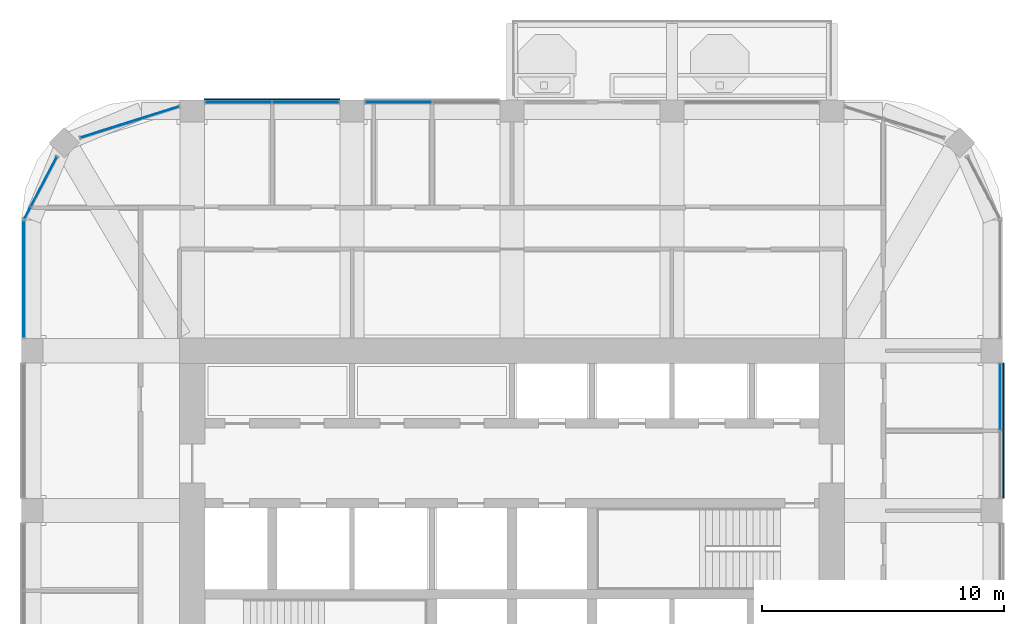
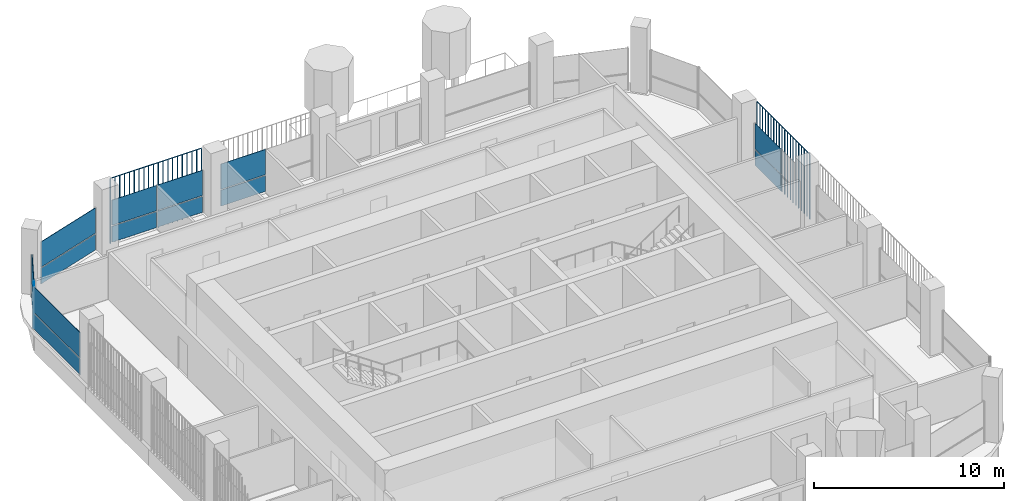
# One storey, part 12 of 21: 18 plates, 6 elements without a shape of their own.
"""IFC4 building model written with IfcOpenShell, lengths in metres."""

from ifc_helpers import new_model, si_unit, direction, frame, origin, origin_2d, place, context, subcontext, project, spatial, polyline, rectangle, outline, extrude, material, layer, layer_set, type_object, element, aggregate, save


model = new_model("IFC4")

# Units and contexts
model_context = context("Model", 3, precision=1e-05, world=origin(), true_north=direction((0.0, 1.0)))
body_context = subcontext(model_context, "Body", "Model", "MODEL_VIEW")
ifc_project = project(units=[si_unit("LENGTHUNIT", "METRE"), si_unit("AREAUNIT", "SQUARE_METRE"), si_unit("VOLUMEUNIT", "CUBIC_METRE"), si_unit("PLANEANGLEUNIT", "RADIAN"), si_unit("MASSUNIT", "GRAM", prefix="KILO")], contexts=[model_context])

# Site, building, storey
site_placement = place(None, origin())
site = spatial("IfcSite", under=ifc_project, at=site_placement, CompositionType="ELEMENT")
building_placement = place(site_placement, origin())
building = spatial("IfcBuilding", under=site, at=building_placement, Name="Cobogo Forest Laboratory Tower", CompositionType="ELEMENT")
storey_placement = place(building_placement, frame((0.0, 0.0, 275.39990234375)))
storey = spatial("IfcBuildingStorey", under=building, at=storey_placement, Name="L63", CompositionType="ELEMENT", Elevation=275.39990234375)

# Curtain wall, plates
ifc_material_1 = material(Name="Aluminium curtain wall", Category="aluminium")
curtain_wall_type = type_object("IfcCurtainWallType", Name="CW-2 unitised curtain wall, solar control glazing, laboratory floors zones C and D", PredefinedType="USERDEFINED", material=ifc_material_1)
curtain_wall_1_placement = place(storey_placement, origin())
curtain_wall_1 = element("IfcCurtainWall", 1, at=curtain_wall_1_placement, inside=storey, type_object=curtain_wall_type, Name="Curtain wall 10 L63", ObjectType="UNITISED CURTAIN WALL", PredefinedType="USERDEFINED")
ifc_material_2 = material(Name="Solar control insulated glass", Category="glass")
ifc_layer = layer(ifc_material_2, 0.031982421875)
ifc_layer_set = layer_set([ifc_layer], Name="GP-2 solar control glass unit 32")
plate_type_1 = type_object("IfcPlateType", Name="GP-2 solar control glass unit 32", PredefinedType="CURTAIN_PANEL", material=ifc_layer_set)
plate_1_placement = place(storey_placement, frame((46.550048828125, 31.0849609375, 0.0), z_axis=(0.0, 0.0, 1.0), x_axis=(0.0, 1.0, 0.0)))
plate_1 = element("IfcPlate", 2, at=plate_1_placement, type_object=plate_type_1, Name="CW-2 panel 2.1", PredefinedType="CURTAIN_PANEL", context=body_context, shape_type="SweptSolid", body=[
    extrude(rectangle(XDim=2.7099609375, YDim=0.031982421875, at=origin_2d()), origin(), (0.0, 0.0, 1.0), 1.02001953125),
])
plate_2_placement = place(storey_placement, frame((46.550048828125, 31.0849609375, 1.080078125), z_axis=(0.0, 0.0, 1.0), x_axis=(0.0, 1.0, 0.0)))
plate_2 = element("IfcPlate", 3, at=plate_2_placement, type_object=plate_type_1, Name="CW-2 panel 2.2", PredefinedType="CURTAIN_PANEL", context=body_context, shape_type="SweptSolid", body=[
    extrude(rectangle(XDim=2.7099609375, YDim=0.031982421875, at=origin_2d()), origin(), (0.0, 0.0, 1.0), 1.6201171875),
])
aggregate(curtain_wall_1, [plate_1, plate_2])

curtain_wall_2_placement = place(storey_placement, origin())
curtain_wall_2 = element("IfcCurtainWall", 4, at=curtain_wall_2_placement, inside=storey, type_object=curtain_wall_type, Name="Curtain wall 16 L63", ObjectType="UNITISED CURTAIN WALL", PredefinedType="USERDEFINED")
plate_3_placement = place(storey_placement, frame((21.715087890625, 43.25, 0.0), z_axis=(0.0, 0.0, 1.0), x_axis=(-1.0, 0.0, 0.0)))
plate_3 = element("IfcPlate", 5, at=plate_3_placement, type_object=plate_type_1, Name="CW-2 panel 2.1", PredefinedType="CURTAIN_PANEL", context=body_context, shape_type="SweptSolid", body=[
    extrude(rectangle(XDim=2.7099609375, YDim=0.031982421875, at=origin_2d()), origin(), (0.0, 0.0, 1.0), 1.02001953125),
])
plate_4_placement = place(storey_placement, frame((21.715087890625, 43.25, 1.080078125), z_axis=(0.0, 0.0, 1.0), x_axis=(-1.0, 0.0, 0.0)))
plate_4 = element("IfcPlate", 6, at=plate_4_placement, type_object=plate_type_1, Name="CW-2 panel 2.2", PredefinedType="CURTAIN_PANEL", context=body_context, shape_type="SweptSolid", body=[
    extrude(rectangle(XDim=2.7099609375, YDim=0.031982421875, at=origin_2d()), origin(), (0.0, 0.0, 1.0), 1.6201171875),
])
aggregate(curtain_wall_2, [plate_3, plate_4])

curtain_wall_3_placement = place(storey_placement, origin())
curtain_wall_3 = element("IfcCurtainWall", 7, at=curtain_wall_3_placement, inside=storey, type_object=curtain_wall_type, Name="Curtain wall 17 L63", ObjectType="UNITISED CURTAIN WALL", PredefinedType="USERDEFINED")
plate_5_placement = place(storey_placement, frame((17.885009765625, 43.25, 0.0), z_axis=(0.0, 0.0, 1.0), x_axis=(-1.0, 0.0, 0.0)))
plate_5 = element("IfcPlate", 8, at=plate_5_placement, type_object=plate_type_1, Name="CW-2 panel 1.1", PredefinedType="CURTAIN_PANEL", context=body_context, shape_type="SweptSolid", body=[
    extrude(rectangle(XDim=2.7099609375, YDim=0.031982421875, at=origin_2d()), origin(), (0.0, 0.0, 1.0), 1.02001953125),
])
plate_6_placement = place(storey_placement, frame((17.885009765625, 43.25, 1.080078125), z_axis=(0.0, 0.0, 1.0), x_axis=(-1.0, 0.0, 0.0)))
plate_6 = element("IfcPlate", 9, at=plate_6_placement, type_object=plate_type_1, Name="CW-2 panel 1.2", PredefinedType="CURTAIN_PANEL", context=body_context, shape_type="SweptSolid", body=[
    extrude(rectangle(XDim=2.7099609375, YDim=0.031982421875, at=origin_2d()), origin(), (0.0, 0.0, 1.0), 1.6201171875),
])
plate_7_placement = place(storey_placement, frame((15.114990234375, 43.25, 0.0), z_axis=(0.0, 0.0, 1.0), x_axis=(-1.0, 0.0, 0.0)))
plate_7 = element("IfcPlate", 10, at=plate_7_placement, type_object=plate_type_1, Name="CW-2 panel 2.1", PredefinedType="CURTAIN_PANEL", context=body_context, shape_type="SweptSolid", body=[
    extrude(rectangle(XDim=2.7099609375, YDim=0.031982421875, at=origin_2d()), origin(), (0.0, 0.0, 1.0), 1.02001953125),
])
plate_8_placement = place(storey_placement, frame((15.114990234375, 43.25, 1.080078125), z_axis=(0.0, 0.0, 1.0), x_axis=(-1.0, 0.0, 0.0)))
plate_8 = element("IfcPlate", 11, at=plate_8_placement, type_object=plate_type_1, Name="CW-2 panel 2.2", PredefinedType="CURTAIN_PANEL", context=body_context, shape_type="SweptSolid", body=[
    extrude(rectangle(XDim=2.7099609375, YDim=0.031982421875, at=origin_2d()), origin(), (0.0, 0.0, 1.0), 1.6201171875),
])
aggregate(curtain_wall_3, [plate_5, plate_6, plate_7, plate_8])

curtain_wall_4_placement = place(storey_placement, origin())
curtain_wall_4 = element("IfcCurtainWall", 12, at=curtain_wall_4_placement, inside=storey, type_object=curtain_wall_type, Name="Curtain wall 18 L63", ObjectType="UNITISED CURTAIN WALL", PredefinedType="USERDEFINED")
plate_9_placement = place(storey_placement, frame((10.62060546875, 42.435546875, 0.0), z_axis=(0.0, 0.0, 1.0), x_axis=(-0.953581379409, -0.301135439371, 0.0)))
plate_9 = element("IfcPlate", 13, at=plate_9_placement, type_object=plate_type_1, Name="CW-2 panel 1.1", PredefinedType="CURTAIN_PANEL", context=body_context, shape_type="SweptSolid", body=[
    extrude(rectangle(XDim=4.240966796875, YDim=0.031982421875, at=origin_2d()), origin(), (0.0, 0.0, 1.0), 1.02001953125),
])
plate_10_placement = place(storey_placement, frame((10.62060546875, 42.435546875, 1.080078125), z_axis=(0.0, 0.0, 1.0), x_axis=(-0.953581379409, -0.301135439371, 0.0)))
plate_10 = element("IfcPlate", 14, at=plate_10_placement, type_object=plate_type_1, Name="CW-2 panel 1.2", PredefinedType="CURTAIN_PANEL", context=body_context, shape_type="SweptSolid", body=[
    extrude(rectangle(XDim=4.240966796875, YDim=0.031982421875, at=origin_2d()), origin(), (0.0, 0.0, 1.0), 1.6201171875),
])
aggregate(curtain_wall_4, [plate_9, plate_10])

curtain_wall_5_placement = place(storey_placement, origin())
curtain_wall_5 = element("IfcCurtainWall", 15, at=curtain_wall_5_placement, inside=storey, type_object=curtain_wall_type, Name="Curtain wall 19 L63", ObjectType="UNITISED CURTAIN WALL", PredefinedType="USERDEFINED")
plate_11_placement = place(storey_placement, frame((7.076904296875, 39.977294921875, 0.0), z_axis=(0.0, 0.0, 1.0), x_axis=(-0.464283778337, -0.885686498245, 0.0)))
plate_11 = element("IfcPlate", 16, at=plate_11_placement, type_object=plate_type_1, Name="CW-2 panel 1.1", PredefinedType="CURTAIN_PANEL", context=body_context, shape_type="SweptSolid", body=[
    extrude(rectangle(XDim=2.28857421875, YDim=0.031982421875, at=origin_2d()), origin(), (0.0, 0.0, 1.0), 1.02001953125),
])
plate_12_placement = place(storey_placement, frame((7.076904296875, 39.977294921875, 1.080078125), z_axis=(0.0, 0.0, 1.0), x_axis=(-0.464283778337, -0.885686498245, 0.0)))
plate_12 = element("IfcPlate", 17, at=plate_12_placement, type_object=plate_type_1, Name="CW-2 panel 1.2", PredefinedType="CURTAIN_PANEL", context=body_context, shape_type="SweptSolid", body=[
    extrude(rectangle(XDim=2.28857421875, YDim=0.031982421875, at=origin_2d()), origin(), (0.0, 0.0, 1.0), 1.6201171875),
])
plate_13_placement = place(storey_placement, frame((6.397705078125, 38.681884765625, 0.0), z_axis=(0.0, 0.0, 1.0), x_axis=(-0.464283778337, -0.885686498245, 0.0)))
plate_13 = element("IfcPlate", 18, at=plate_13_placement, type_object=plate_type_1, Name="CW-2 panel 2.1", PredefinedType="CURTAIN_PANEL", context=body_context, shape_type="SweptSolid", body=[
    extrude(rectangle(XDim=0.516357421875, YDim=0.031982421875, at=origin_2d()), origin(), (0.0, 0.0, 1.0), 1.02001953125),
])
plate_14_placement = place(storey_placement, frame((6.397705078125, 38.681884765625, 1.080078125), z_axis=(0.0, 0.0, 1.0), x_axis=(-0.464283778337, -0.885686498245, 0.0)))
plate_14 = element("IfcPlate", 19, at=plate_14_placement, type_object=plate_type_1, Name="CW-2 panel 2.2", PredefinedType="CURTAIN_PANEL", context=body_context, shape_type="SweptSolid", body=[
    extrude(rectangle(XDim=0.516357421875, YDim=0.031982421875, at=origin_2d()), origin(), (0.0, 0.0, 1.0), 1.6201171875),
])
aggregate(curtain_wall_5, [plate_11, plate_12, plate_13, plate_14])

curtain_wall_6_placement = place(storey_placement, origin())
curtain_wall_6 = element("IfcCurtainWall", 20, at=curtain_wall_6_placement, inside=storey, type_object=curtain_wall_type, Name="Curtain wall 20 L63", ObjectType="UNITISED CURTAIN WALL", PredefinedType="USERDEFINED")
plate_15_placement = place(storey_placement, frame((6.25, 35.949951171875, 0.0), z_axis=(0.0, 0.0, 1.0), x_axis=(0.0, -1.0, 0.0)))
plate_15 = element("IfcPlate", 21, at=plate_15_placement, type_object=plate_type_1, Name="CW-2 panel 1.1", PredefinedType="CURTAIN_PANEL", context=body_context, shape_type="SweptSolid", body=[
    extrude(rectangle(XDim=4.780029296875, YDim=0.031982421875, at=origin_2d()), origin(), (0.0, 0.0, 1.0), 1.02001953125),
])
plate_16_placement = place(storey_placement, frame((6.25, 35.949951171875, 1.080078125), z_axis=(0.0, 0.0, 1.0), x_axis=(0.0, -1.0, 0.0)))
plate_16 = element("IfcPlate", 22, at=plate_16_placement, type_object=plate_type_1, Name="CW-2 panel 1.2", PredefinedType="CURTAIN_PANEL", context=body_context, shape_type="SweptSolid", body=[
    extrude(rectangle(XDim=4.780029296875, YDim=0.031982421875, at=origin_2d()), origin(), (0.0, 0.0, 1.0), 1.6201171875),
])
aggregate(curtain_wall_6, [plate_15, plate_16])

# Plates
ifc_material_3 = material(Name="Terracotta", Category="masonry")
plate_type_2 = type_object("IfcPlateType", Name="TB1 terracotta baguette screen", PredefinedType="USERDEFINED", material=ifc_material_3)
plate_17_placement = place(storey_placement, frame((46.677978515625, 26.93115234375, -0.14990234375)))
element("IfcPlate", 23, at=plate_17_placement, inside=storey, type_object=plate_type_2, Name="Baguette screen E3 L63", ObjectType="BAGUETTE SCREEN", PredefinedType="USERDEFINED", context=body_context, shape_type="SweptSolid", body=[
    extrude(outline(polyline([(0.02880859375, 0.011962890625), (0.011962890625, 0.02880859375), (-0.011962890625, 0.02880859375), (-0.02880859375, 0.011962890625), (-0.02880859375, -0.011962890625), (-0.011962890625, -0.02880859375), (0.011962890625, -0.02880859375), (0.02880859375, -0.011962890625), (0.02880859375, 0.011962890625)])), frame((0.0, 0.0, 4.168701171875), z_axis=(0.0, 1.0, 0.0), x_axis=(-1.0, 0.0, 0.0)), (0.0, 0.0, 1.0), 5.53759765625),
    extrude(outline(polyline([(0.02880859375, 0.011962890625), (0.011962890625, 0.02880859375), (-0.011962890625, 0.02880859375), (-0.02880859375, 0.011962890625), (-0.02880859375, -0.011962890625), (-0.011962890625, -0.02880859375), (0.011962890625, -0.02880859375), (0.02880859375, -0.011962890625), (0.02880859375, 0.011962890625)])), origin(), (0.0, 0.0, 1.0), 4.137451171875),
    extrude(outline(polyline([(0.02880859375, 0.011962890625), (0.011962890625, 0.02880859375), (-0.011962890625, 0.02880859375), (-0.02880859375, 0.011962890625), (-0.02880859375, -0.011962890625), (-0.011962890625, -0.02880859375), (0.011962890625, -0.02880859375), (0.02880859375, -0.011962890625), (0.02880859375, 0.011962890625)])), frame((0.0, 0.29150390625, 0.0)), (0.0, 0.0, 1.0), 4.137451171875),
    extrude(outline(polyline([(0.02880859375, 0.011962890625), (0.011962890625, 0.02880859375), (-0.011962890625, 0.02880859375), (-0.02880859375, 0.011962890625), (-0.02880859375, -0.011962890625), (-0.011962890625, -0.02880859375), (0.011962890625, -0.02880859375), (0.02880859375, -0.011962890625), (0.02880859375, 0.011962890625)])), frame((0.0, 0.5830078125, 0.0)), (0.0, 0.0, 1.0), 4.137451171875),
    extrude(outline(polyline([(0.02880859375, 0.011962890625), (0.011962890625, 0.02880859375), (-0.011962890625, 0.02880859375), (-0.02880859375, 0.011962890625), (-0.02880859375, -0.011962890625), (-0.011962890625, -0.02880859375), (0.011962890625, -0.02880859375), (0.02880859375, -0.011962890625), (0.02880859375, 0.011962890625)])), frame((0.0, 0.874267578125, 0.0)), (0.0, 0.0, 1.0), 4.137451171875),
    extrude(outline(polyline([(0.02880859375, 0.011962890625), (0.011962890625, 0.02880859375), (-0.011962890625, 0.02880859375), (-0.02880859375, 0.011962890625), (-0.02880859375, -0.011962890625), (-0.011962890625, -0.02880859375), (0.011962890625, -0.02880859375), (0.02880859375, -0.011962890625), (0.02880859375, 0.011962890625)])), frame((0.0, 1.165771484375, 0.0)), (0.0, 0.0, 1.0), 4.137451171875),
    extrude(outline(polyline([(0.02880859375, 0.011962890625), (0.011962890625, 0.02880859375), (-0.011962890625, 0.02880859375), (-0.02880859375, 0.011962890625), (-0.02880859375, -0.011962890625), (-0.011962890625, -0.02880859375), (0.011962890625, -0.02880859375), (0.02880859375, -0.011962890625), (0.02880859375, 0.011962890625)])), frame((0.0, 1.457275390625, 0.0)), (0.0, 0.0, 1.0), 4.137451171875),
    extrude(outline(polyline([(0.02880859375, 0.011962890625), (0.011962890625, 0.02880859375), (-0.011962890625, 0.02880859375), (-0.02880859375, 0.011962890625), (-0.02880859375, -0.011962890625), (-0.011962890625, -0.02880859375), (0.011962890625, -0.02880859375), (0.02880859375, -0.011962890625), (0.02880859375, 0.011962890625)])), frame((0.0, 1.748779296875, 0.0)), (0.0, 0.0, 1.0), 4.137451171875),
    extrude(outline(polyline([(0.02880859375, 0.011962890625), (0.011962890625, 0.02880859375), (-0.011962890625, 0.02880859375), (-0.02880859375, 0.011962890625), (-0.02880859375, -0.011962890625), (-0.011962890625, -0.02880859375), (0.011962890625, -0.02880859375), (0.02880859375, -0.011962890625), (0.02880859375, 0.011962890625)])), frame((0.0, 2.040283203125, 0.0)), (0.0, 0.0, 1.0), 4.137451171875),
    extrude(outline(polyline([(0.02880859375, 0.011962890625), (0.011962890625, 0.02880859375), (-0.011962890625, 0.02880859375), (-0.02880859375, 0.011962890625), (-0.02880859375, -0.011962890625), (-0.011962890625, -0.02880859375), (0.011962890625, -0.02880859375), (0.02880859375, -0.011962890625), (0.02880859375, 0.011962890625)])), frame((0.0, 2.33154296875, 0.0)), (0.0, 0.0, 1.0), 4.137451171875),
    extrude(outline(polyline([(0.02880859375, 0.011962890625), (0.011962890625, 0.02880859375), (-0.011962890625, 0.02880859375), (-0.02880859375, 0.011962890625), (-0.02880859375, -0.011962890625), (-0.011962890625, -0.02880859375), (0.011962890625, -0.02880859375), (0.02880859375, -0.011962890625), (0.02880859375, 0.011962890625)])), frame((0.0, 2.623046875, 0.0)), (0.0, 0.0, 1.0), 4.137451171875),
    extrude(outline(polyline([(0.02880859375, 0.011962890625), (0.011962890625, 0.02880859375), (-0.011962890625, 0.02880859375), (-0.02880859375, 0.011962890625), (-0.02880859375, -0.011962890625), (-0.011962890625, -0.02880859375), (0.011962890625, -0.02880859375), (0.02880859375, -0.011962890625), (0.02880859375, 0.011962890625)])), frame((0.0, 2.91455078125, 0.0)), (0.0, 0.0, 1.0), 4.137451171875),
    extrude(outline(polyline([(0.02880859375, 0.011962890625), (0.011962890625, 0.02880859375), (-0.011962890625, 0.02880859375), (-0.02880859375, 0.011962890625), (-0.02880859375, -0.011962890625), (-0.011962890625, -0.02880859375), (0.011962890625, -0.02880859375), (0.02880859375, -0.011962890625), (0.02880859375, 0.011962890625)])), frame((0.0, 3.2060546875, 0.0)), (0.0, 0.0, 1.0), 4.137451171875),
    extrude(outline(polyline([(0.02880859375, 0.011962890625), (0.011962890625, 0.02880859375), (-0.011962890625, 0.02880859375), (-0.02880859375, 0.011962890625), (-0.02880859375, -0.011962890625), (-0.011962890625, -0.02880859375), (0.011962890625, -0.02880859375), (0.02880859375, -0.011962890625), (0.02880859375, 0.011962890625)])), frame((0.0, 3.497314453125, 0.0)), (0.0, 0.0, 1.0), 4.137451171875),
    extrude(outline(polyline([(0.02880859375, 0.011962890625), (0.011962890625, 0.02880859375), (-0.011962890625, 0.02880859375), (-0.02880859375, 0.011962890625), (-0.02880859375, -0.011962890625), (-0.011962890625, -0.02880859375), (0.011962890625, -0.02880859375), (0.02880859375, -0.011962890625), (0.02880859375, 0.011962890625)])), frame((0.0, 3.788818359375, 0.0)), (0.0, 0.0, 1.0), 4.137451171875),
    extrude(outline(polyline([(0.02880859375, 0.011962890625), (0.011962890625, 0.02880859375), (-0.011962890625, 0.02880859375), (-0.02880859375, 0.011962890625), (-0.02880859375, -0.011962890625), (-0.011962890625, -0.02880859375), (0.011962890625, -0.02880859375), (0.02880859375, -0.011962890625), (0.02880859375, 0.011962890625)])), frame((0.0, 4.080322265625, 0.0)), (0.0, 0.0, 1.0), 4.137451171875),
    extrude(outline(polyline([(0.02880859375, 0.011962890625), (0.011962890625, 0.02880859375), (-0.011962890625, 0.02880859375), (-0.02880859375, 0.011962890625), (-0.02880859375, -0.011962890625), (-0.011962890625, -0.02880859375), (0.011962890625, -0.02880859375), (0.02880859375, -0.011962890625), (0.02880859375, 0.011962890625)])), frame((0.0, 4.371826171875, 0.0)), (0.0, 0.0, 1.0), 4.137451171875),
    extrude(outline(polyline([(0.02880859375, 0.011962890625), (0.011962890625, 0.02880859375), (-0.011962890625, 0.02880859375), (-0.02880859375, 0.011962890625), (-0.02880859375, -0.011962890625), (-0.011962890625, -0.02880859375), (0.011962890625, -0.02880859375), (0.02880859375, -0.011962890625), (0.02880859375, 0.011962890625)])), frame((0.0, 4.663330078125, 0.0)), (0.0, 0.0, 1.0), 4.137451171875),
    extrude(outline(polyline([(0.02880859375, 0.011962890625), (0.011962890625, 0.02880859375), (-0.011962890625, 0.02880859375), (-0.02880859375, 0.011962890625), (-0.02880859375, -0.011962890625), (-0.011962890625, -0.02880859375), (0.011962890625, -0.02880859375), (0.02880859375, -0.011962890625), (0.02880859375, 0.011962890625)])), frame((0.0, 4.95458984375, 0.0)), (0.0, 0.0, 1.0), 4.137451171875),
    extrude(outline(polyline([(0.02880859375, 0.011962890625), (0.011962890625, 0.02880859375), (-0.011962890625, 0.02880859375), (-0.02880859375, 0.011962890625), (-0.02880859375, -0.011962890625), (-0.011962890625, -0.02880859375), (0.011962890625, -0.02880859375), (0.02880859375, -0.011962890625), (0.02880859375, 0.011962890625)])), frame((0.0, 5.24609375, 0.0)), (0.0, 0.0, 1.0), 4.137451171875),
    extrude(outline(polyline([(0.02880859375, 0.011962890625), (0.011962890625, 0.02880859375), (-0.011962890625, 0.02880859375), (-0.02880859375, 0.011962890625), (-0.02880859375, -0.011962890625), (-0.011962890625, -0.02880859375), (0.011962890625, -0.02880859375), (0.02880859375, -0.011962890625), (0.02880859375, 0.011962890625)])), frame((0.0, 5.53759765625, 0.0)), (0.0, 0.0, 1.0), 4.137451171875),
])
plate_18_placement = place(storey_placement, frame((13.731201171875, 43.3779296875, -0.14990234375)))
element("IfcPlate", 24, at=plate_18_placement, inside=storey, type_object=plate_type_2, Name="Baguette screen N1 L63", ObjectType="BAGUETTE SCREEN", PredefinedType="USERDEFINED", context=body_context, shape_type="SweptSolid", body=[
    extrude(outline(polyline([(0.02880859375, 0.011962890625), (0.011962890625, 0.02880859375), (-0.011962890625, 0.02880859375), (-0.02880859375, 0.011962890625), (-0.02880859375, -0.011962890625), (-0.011962890625, -0.02880859375), (0.011962890625, -0.02880859375), (0.02880859375, -0.011962890625), (0.02880859375, 0.011962890625)])), frame((0.0, 0.0, 4.168701171875), z_axis=(1.0, 0.0, 0.0), x_axis=(0.0, 1.0, 0.0)), (0.0, 0.0, 1.0), 5.53759765625),
    extrude(outline(polyline([(0.02880859375, 0.011962890625), (0.011962890625, 0.02880859375), (-0.011962890625, 0.02880859375), (-0.02880859375, 0.011962890625), (-0.02880859375, -0.011962890625), (-0.011962890625, -0.02880859375), (0.011962890625, -0.02880859375), (0.02880859375, -0.011962890625), (0.02880859375, 0.011962890625)])), origin(), (0.0, 0.0, 1.0), 4.137451171875),
    extrude(outline(polyline([(0.02880859375, 0.011962890625), (0.011962890625, 0.02880859375), (-0.011962890625, 0.02880859375), (-0.02880859375, 0.011962890625), (-0.02880859375, -0.011962890625), (-0.011962890625, -0.02880859375), (0.011962890625, -0.02880859375), (0.02880859375, -0.011962890625), (0.02880859375, 0.011962890625)])), frame((0.29150390625, 0.0, 0.0)), (0.0, 0.0, 1.0), 4.137451171875),
    extrude(outline(polyline([(0.02880859375, 0.011962890625), (0.011962890625, 0.02880859375), (-0.011962890625, 0.02880859375), (-0.02880859375, 0.011962890625), (-0.02880859375, -0.011962890625), (-0.011962890625, -0.02880859375), (0.011962890625, -0.02880859375), (0.02880859375, -0.011962890625), (0.02880859375, 0.011962890625)])), frame((0.5830078125, 0.0, 0.0)), (0.0, 0.0, 1.0), 4.137451171875),
    extrude(outline(polyline([(0.02880859375, 0.011962890625), (0.011962890625, 0.02880859375), (-0.011962890625, 0.02880859375), (-0.02880859375, 0.011962890625), (-0.02880859375, -0.011962890625), (-0.011962890625, -0.02880859375), (0.011962890625, -0.02880859375), (0.02880859375, -0.011962890625), (0.02880859375, 0.011962890625)])), frame((0.874267578125, 0.0, 0.0)), (0.0, 0.0, 1.0), 4.137451171875),
    extrude(outline(polyline([(0.02880859375, 0.011962890625), (0.011962890625, 0.02880859375), (-0.011962890625, 0.02880859375), (-0.02880859375, 0.011962890625), (-0.02880859375, -0.011962890625), (-0.011962890625, -0.02880859375), (0.011962890625, -0.02880859375), (0.02880859375, -0.011962890625), (0.02880859375, 0.011962890625)])), frame((1.165771484375, 0.0, 0.0)), (0.0, 0.0, 1.0), 4.137451171875),
    extrude(outline(polyline([(0.02880859375, 0.011962890625), (0.011962890625, 0.02880859375), (-0.011962890625, 0.02880859375), (-0.02880859375, 0.011962890625), (-0.02880859375, -0.011962890625), (-0.011962890625, -0.02880859375), (0.011962890625, -0.02880859375), (0.02880859375, -0.011962890625), (0.02880859375, 0.011962890625)])), frame((1.457275390625, 0.0, 0.0)), (0.0, 0.0, 1.0), 4.137451171875),
    extrude(outline(polyline([(0.02880859375, 0.011962890625), (0.011962890625, 0.02880859375), (-0.011962890625, 0.02880859375), (-0.02880859375, 0.011962890625), (-0.02880859375, -0.011962890625), (-0.011962890625, -0.02880859375), (0.011962890625, -0.02880859375), (0.02880859375, -0.011962890625), (0.02880859375, 0.011962890625)])), frame((1.748779296875, 0.0, 0.0)), (0.0, 0.0, 1.0), 4.137451171875),
    extrude(outline(polyline([(0.02880859375, 0.011962890625), (0.011962890625, 0.02880859375), (-0.011962890625, 0.02880859375), (-0.02880859375, 0.011962890625), (-0.02880859375, -0.011962890625), (-0.011962890625, -0.02880859375), (0.011962890625, -0.02880859375), (0.02880859375, -0.011962890625), (0.02880859375, 0.011962890625)])), frame((2.040283203125, 0.0, 0.0)), (0.0, 0.0, 1.0), 4.137451171875),
    extrude(outline(polyline([(0.02880859375, 0.011962890625), (0.011962890625, 0.02880859375), (-0.011962890625, 0.02880859375), (-0.02880859375, 0.011962890625), (-0.02880859375, -0.011962890625), (-0.011962890625, -0.02880859375), (0.011962890625, -0.02880859375), (0.02880859375, -0.011962890625), (0.02880859375, 0.011962890625)])), frame((2.33154296875, 0.0, 0.0)), (0.0, 0.0, 1.0), 4.137451171875),
    extrude(outline(polyline([(0.02880859375, 0.011962890625), (0.011962890625, 0.02880859375), (-0.011962890625, 0.02880859375), (-0.02880859375, 0.011962890625), (-0.02880859375, -0.011962890625), (-0.011962890625, -0.02880859375), (0.011962890625, -0.02880859375), (0.02880859375, -0.011962890625), (0.02880859375, 0.011962890625)])), frame((2.623046875, 0.0, 0.0)), (0.0, 0.0, 1.0), 4.137451171875),
    extrude(outline(polyline([(0.02880859375, 0.011962890625), (0.011962890625, 0.02880859375), (-0.011962890625, 0.02880859375), (-0.02880859375, 0.011962890625), (-0.02880859375, -0.011962890625), (-0.011962890625, -0.02880859375), (0.011962890625, -0.02880859375), (0.02880859375, -0.011962890625), (0.02880859375, 0.011962890625)])), frame((2.91455078125, 0.0, 0.0)), (0.0, 0.0, 1.0), 4.137451171875),
    extrude(outline(polyline([(0.02880859375, 0.011962890625), (0.011962890625, 0.02880859375), (-0.011962890625, 0.02880859375), (-0.02880859375, 0.011962890625), (-0.02880859375, -0.011962890625), (-0.011962890625, -0.02880859375), (0.011962890625, -0.02880859375), (0.02880859375, -0.011962890625), (0.02880859375, 0.011962890625)])), frame((3.2060546875, 0.0, 0.0)), (0.0, 0.0, 1.0), 4.137451171875),
    extrude(outline(polyline([(0.02880859375, 0.011962890625), (0.011962890625, 0.02880859375), (-0.011962890625, 0.02880859375), (-0.02880859375, 0.011962890625), (-0.02880859375, -0.011962890625), (-0.011962890625, -0.02880859375), (0.011962890625, -0.02880859375), (0.02880859375, -0.011962890625), (0.02880859375, 0.011962890625)])), frame((3.497314453125, 0.0, 0.0)), (0.0, 0.0, 1.0), 4.137451171875),
    extrude(outline(polyline([(0.02880859375, 0.011962890625), (0.011962890625, 0.02880859375), (-0.011962890625, 0.02880859375), (-0.02880859375, 0.011962890625), (-0.02880859375, -0.011962890625), (-0.011962890625, -0.02880859375), (0.011962890625, -0.02880859375), (0.02880859375, -0.011962890625), (0.02880859375, 0.011962890625)])), frame((3.788818359375, 0.0, 0.0)), (0.0, 0.0, 1.0), 4.137451171875),
    extrude(outline(polyline([(0.02880859375, 0.011962890625), (0.011962890625, 0.02880859375), (-0.011962890625, 0.02880859375), (-0.02880859375, 0.011962890625), (-0.02880859375, -0.011962890625), (-0.011962890625, -0.02880859375), (0.011962890625, -0.02880859375), (0.02880859375, -0.011962890625), (0.02880859375, 0.011962890625)])), frame((4.080322265625, 0.0, 0.0)), (0.0, 0.0, 1.0), 4.137451171875),
    extrude(outline(polyline([(0.02880859375, 0.011962890625), (0.011962890625, 0.02880859375), (-0.011962890625, 0.02880859375), (-0.02880859375, 0.011962890625), (-0.02880859375, -0.011962890625), (-0.011962890625, -0.02880859375), (0.011962890625, -0.02880859375), (0.02880859375, -0.011962890625), (0.02880859375, 0.011962890625)])), frame((4.371826171875, 0.0, 0.0)), (0.0, 0.0, 1.0), 4.137451171875),
    extrude(outline(polyline([(0.02880859375, 0.011962890625), (0.011962890625, 0.02880859375), (-0.011962890625, 0.02880859375), (-0.02880859375, 0.011962890625), (-0.02880859375, -0.011962890625), (-0.011962890625, -0.02880859375), (0.011962890625, -0.02880859375), (0.02880859375, -0.011962890625), (0.02880859375, 0.011962890625)])), frame((4.663330078125, 0.0, 0.0)), (0.0, 0.0, 1.0), 4.137451171875),
    extrude(outline(polyline([(0.02880859375, 0.011962890625), (0.011962890625, 0.02880859375), (-0.011962890625, 0.02880859375), (-0.02880859375, 0.011962890625), (-0.02880859375, -0.011962890625), (-0.011962890625, -0.02880859375), (0.011962890625, -0.02880859375), (0.02880859375, -0.011962890625), (0.02880859375, 0.011962890625)])), frame((4.95458984375, 0.0, 0.0)), (0.0, 0.0, 1.0), 4.137451171875),
    extrude(outline(polyline([(0.02880859375, 0.011962890625), (0.011962890625, 0.02880859375), (-0.011962890625, 0.02880859375), (-0.02880859375, 0.011962890625), (-0.02880859375, -0.011962890625), (-0.011962890625, -0.02880859375), (0.011962890625, -0.02880859375), (0.02880859375, -0.011962890625), (0.02880859375, 0.011962890625)])), frame((5.24609375, 0.0, 0.0)), (0.0, 0.0, 1.0), 4.137451171875),
    extrude(outline(polyline([(0.02880859375, 0.011962890625), (0.011962890625, 0.02880859375), (-0.011962890625, 0.02880859375), (-0.02880859375, 0.011962890625), (-0.02880859375, -0.011962890625), (-0.011962890625, -0.02880859375), (0.011962890625, -0.02880859375), (0.02880859375, -0.011962890625), (0.02880859375, 0.011962890625)])), frame((5.53759765625, 0.0, 0.0)), (0.0, 0.0, 1.0), 4.137451171875),
])

save(model, "model.ifc")
